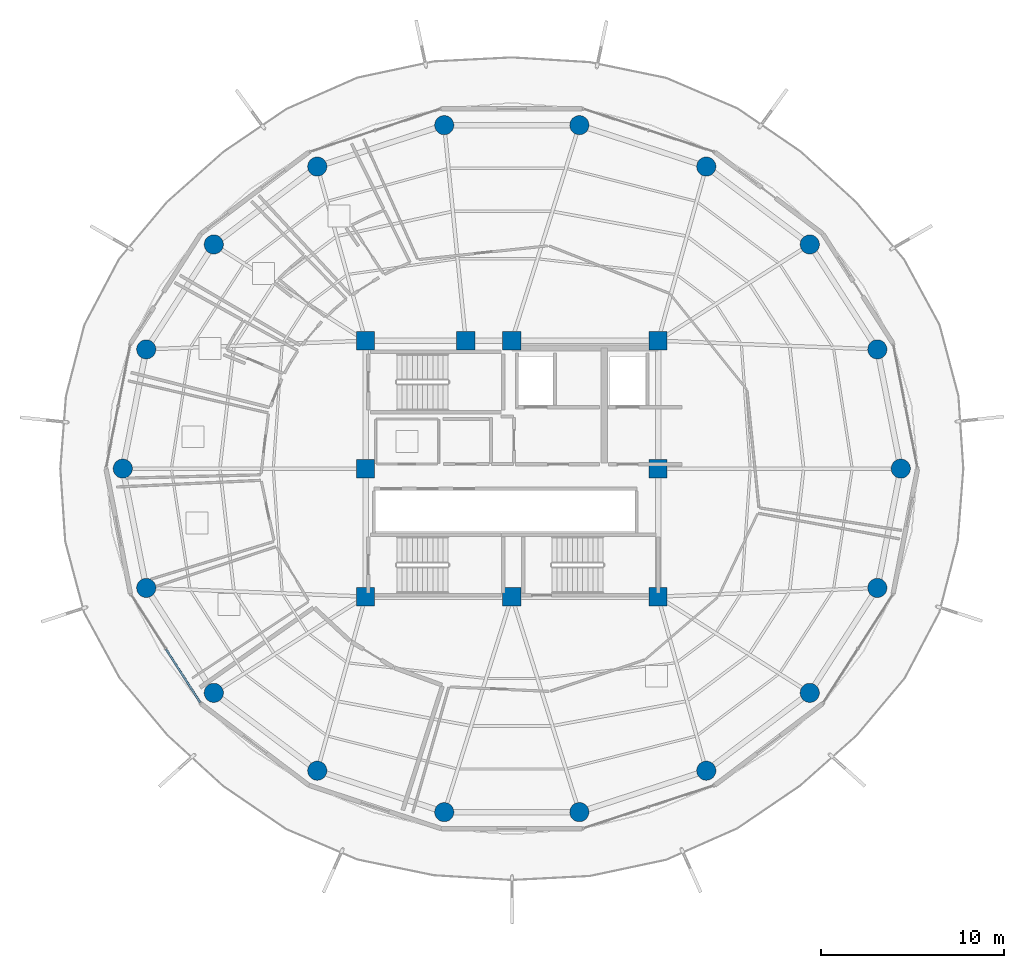
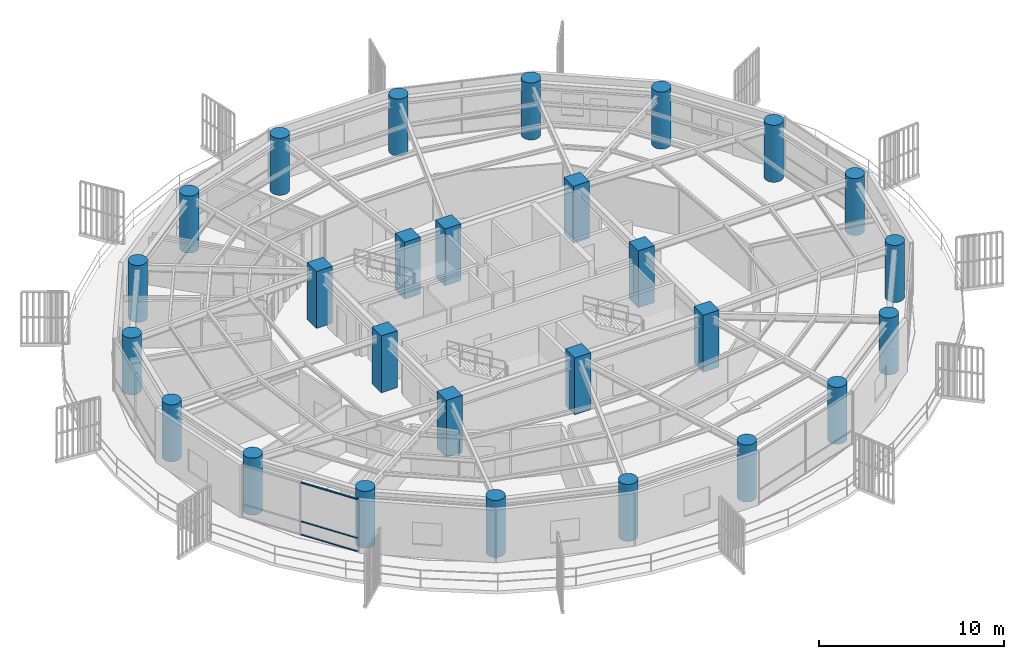
# One storey, part 1 of 31: 27 columns, 3 members, 1 element without a shape of its own.
"""IFC4 building model written with IfcOpenShell, lengths in metres."""

from ifc_helpers import new_model, si_unit, direction, frame, origin, origin_2d, place, context, subcontext, project, spatial, rectangle, hollow_rectangle, circle, extrude, material, layer, layer_set, material_profile, profile_set, type_object, element, aggregate, save


model = new_model("IFC4")

# Units and contexts
model_context = context("Model", 3, precision=1e-05, world=origin(), true_north=direction((0.0, 1.0)))
body_context = subcontext(model_context, "Body", "Model", "MODEL_VIEW")
ifc_project = project(units=[si_unit("LENGTHUNIT", "METRE"), si_unit("AREAUNIT", "SQUARE_METRE"), si_unit("VOLUMEUNIT", "CUBIC_METRE"), si_unit("PLANEANGLEUNIT", "RADIAN"), si_unit("MASSUNIT", "GRAM", prefix="KILO")], contexts=[model_context])

# Site, building, storey
site_placement = place(None, origin())
site = spatial("IfcSite", under=ifc_project, at=site_placement, CompositionType="ELEMENT")
building_placement = place(site_placement, origin())
building = spatial("IfcBuilding", under=site, at=building_placement, Name="Kelanora Arch Commons", CompositionType="ELEMENT")
storey_placement = place(building_placement, frame((0.0, 0.0, 226.949951171875)))
storey = spatial("IfcBuildingStorey", under=building, at=storey_placement, Name="L58", CompositionType="ELEMENT", Elevation=226.949951171875)

# Columns
ifc_material_1 = material(Name="Concrete C50/60", Category="concrete")
ifc_material_profile_1 = material_profile(ifc_material_1, circle(Radius=0.52490234375, at=origin_2d()), Name="RCC1050")
ifc_profile_set_1 = profile_set([ifc_material_profile_1], Name="Concrete C50/60")
column_type_1 = type_object("IfcColumnType", Name="COL-PERIM-Z4", PredefinedType="COLUMN", material=ifc_profile_set_1)
for number, where, z_axis, x_axis, name in (
    (1, (95.280029296875, 58.0, 0.0), (0.0, 0.0, 1.0), (1.0, 0.0, 0.0), "Perimeter Ring Column CP-00 L58"),
    (2, (93.99658203125, 64.525634765625, 0.0), (0.0, 0.0, 1.0), (1.0, 0.0, 0.0), "Perimeter Ring Column CP-02 L58"),
    (3, (90.301513671875, 70.264404296875, 0.0), (0.0, 0.0, 1.0), (1.0, 0.0, 0.0), "Perimeter Ring Column CP-04 L58"),
    (4, (84.639892578125, 74.523681640625, 0.0), (0.0, 0.0, 1.0), (1.0, 0.0, 0.0), "Perimeter Ring Column CP-06 L58"),
    (5, (77.6953125, 76.7900390625, 0.0), (0.0, 0.0, 1.0), (1.0, 0.0, 0.0), "Perimeter Ring Column CP-08 L58"),
    (6, (70.3046875, 76.7900390625, 0.0), (0.0, 0.0, 1.0), (1.0, 0.0, 0.0), "Perimeter Ring Column CP-10 L58"),
    (7, (63.360107421875, 74.523681640625, 0.0), (0.0, 0.0, 1.0), (1.0, 0.0, 0.0), "Perimeter Ring Column CP-12 L58"),
    (8, (57.698486328125, 70.264404296875, 0.0), (0.0, 0.0, 1.0), (1.0, 0.0, 0.0), "Perimeter Ring Column CP-14 L58"),
    (9, (54.00341796875, 64.525634765625, 0.0), (0.0, 0.0, 1.0), (1.0, 0.0, 0.0), "Perimeter Ring Column CP-16 L58"),
    (10, (52.719970703125, 58.0, 0.0), (0.0, 0.0, 1.0), (1.0, 0.0, 0.0), "Perimeter Ring Column CP-18 L58"),
    (11, (54.00341796875, 51.474365234375, 0.0), (0.0, 0.0, 1.0), (1.0, 0.0, 0.0), "Perimeter Ring Column CP-20 L58"),
    (12, (57.698486328125, 45.735595703125, 0.0), (0.0, 0.0, 1.0), (1.0, 0.0, 0.0), "Perimeter Ring Column CP-22 L58"),
    (13, (63.360107421875, 41.476318359375, 0.0), (0.0, 0.0, 1.0), (1.0, 0.0, 0.0), "Perimeter Ring Column CP-24 L58"),
    (14, (70.3046875, 39.2099609375, 0.0), (0.0, 0.0, 1.0), (1.0, 0.0, 0.0), "Perimeter Ring Column CP-26 L58"),
    (15, (77.6953125, 39.2099609375, 0.0), (0.0, 0.0, 1.0), (1.0, 0.0, 0.0), "Perimeter Ring Column CP-28 L58"),
    (16, (84.639892578125, 41.476318359375, 0.0), (0.0, 0.0, 1.0), (1.0, 0.0, 0.0), "Perimeter Ring Column CP-30 L58"),
    (17, (90.301513671875, 45.735595703125, 0.0), (0.0, 0.0, 1.0), (1.0, 0.0, 0.0), "Perimeter Ring Column CP-32 L58"),
    (18, (93.99658203125, 51.474365234375, 0.0), (0.0, 0.0, 1.0), (1.0, 0.0, 0.0), "Perimeter Ring Column CP-34 L58"),
):
    element("IfcColumn", number, at=place(storey_placement, frame(where, z_axis=z_axis, x_axis=x_axis)), inside=storey, type_object=column_type_1, Name=name, PredefinedType="COLUMN", context=body_context, shape_type="SweptSolid", body=[
        extrude(circle(Radius=0.52490234375, at=origin_2d()), origin(), (0.0, 0.0, 1.0), 3.75),
    ])
ifc_material_profile_2 = material_profile(ifc_material_1, rectangle(XDim=1.0, YDim=1.0, at=origin_2d()), Name="RC1000x1000")
ifc_profile_set_2 = profile_set([ifc_material_profile_2], Name="Concrete C50/60")
column_type_2 = type_object("IfcColumnType", Name="COL-PIL-HIGH", PredefinedType="PILASTER", material=ifc_profile_set_2)
for number, where, z_axis, x_axis, name in (
    (19, (66.0, 51.0, 0.0), (0.0, 0.0, 1.0), (1.0, 0.0, 0.0), "Core Pilaster Column CP1 L58"),
    (20, (74.0, 51.0, 0.0), (0.0, 0.0, 1.0), (1.0, 0.0, 0.0), "Core Pilaster Column CP2 L58"),
    (21, (82.0, 51.0, 0.0), (0.0, 0.0, 1.0), (1.0, 0.0, 0.0), "Core Pilaster Column CP3 L58"),
    (22, (82.0, 58.0, 0.0), (0.0, 0.0, 1.0), (1.0, 0.0, 0.0), "Core Pilaster Column CP4 L58"),
    (23, (82.0, 65.0, 0.0), (0.0, 0.0, 1.0), (1.0, 0.0, 0.0), "Core Pilaster Column CP5 L58"),
    (24, (74.0, 65.0, 0.0), (0.0, 0.0, 1.0), (1.0, 0.0, 0.0), "Core Pilaster Column CP6 L58"),
    (25, (71.47998046875, 65.0, 0.0), (0.0, 0.0, 1.0), (1.0, 0.0, 0.0), "Core Pilaster Column CP9 L58"),
    (26, (66.0, 65.0, 0.0), (0.0, 0.0, 1.0), (1.0, 0.0, 0.0), "Core Pilaster Column CP7 L58"),
    (27, (66.0, 58.0, 0.0), (0.0, 0.0, 1.0), (1.0, 0.0, 0.0), "Core Pilaster Column CP8 L58"),
):
    element("IfcColumn", number, at=place(storey_placement, frame(where, z_axis=z_axis, x_axis=x_axis)), inside=storey, type_object=column_type_2, Name=name, PredefinedType="PILASTER", context=body_context, shape_type="SweptSolid", body=[
        extrude(rectangle(XDim=1.0, YDim=1.0, at=origin_2d()), origin(), (0.0, 0.0, 1.0), 3.75),
    ])

# Curtain wall, members
ifc_material_2 = material(Name="Terracotta ceramic-fritted low-E glass and aluminium", Category="masonry")
ifc_layer = layer(ifc_material_2, 0.175048828125)
ifc_layer_set = layer_set([ifc_layer], Name="Terracotta ceramic-fritted low-E glass and aluminium")
curtain_wall_type = type_object("IfcCurtainWallType", Name="CW-SYS-02", PredefinedType="NOTDEFINED", material=ifc_layer_set)
curtain_wall_placement = place(storey_placement, origin())
curtain_wall = element("IfcCurtainWall", 28, at=curtain_wall_placement, inside=storey, type_object=curtain_wall_type, Name="Unitised Curtain Wall L58-B10", PredefinedType="NOTDEFINED")
ifc_material_3 = material(Name="Powder-coated aluminium terracotta", Category="masonry")
ifc_material_profile_3 = material_profile(ifc_material_3, hollow_rectangle(XDim=0.1201171875, YDim=0.06005859375, WallThickness=0.0048828125, InnerFilletRadius=0.0048828125, OuterFilletRadius=0.010009765625, at=origin_2d()), Name="CWT120x60")
ifc_profile_set_3 = profile_set([ifc_material_profile_3], Name="Powder-coated aluminium terracotta")
member_type = type_object("IfcMemberType", Name="CWT-STD", PredefinedType="USERDEFINED", material=ifc_profile_set_3)
member_1_placement = place(storey_placement, frame((55.08251953125, 48.126708984375, 0.030029296875), z_axis=(0.53954710894, -0.841955412854, 0.0), x_axis=(0.841955412854, 0.53954710894, 0.0)))
member_1 = element("IfcMember", 29, at=member_1_placement, type_object=member_type, Name="CW-02 transom 2.1", ObjectType="TRANSOM", PredefinedType="USERDEFINED", context=body_context, shape_type="SweptSolid", body=[
    extrude(hollow_rectangle(XDim=0.1201171875, YDim=0.06005859375, WallThickness=0.0048828125, InnerFilletRadius=0.0048828125, OuterFilletRadius=0.010009765625, at=origin_2d()), origin(), (0.0, 0.0, 1.0), 3.467529296875),
])
member_2_placement = place(storey_placement, frame((55.08251953125, 48.126708984375, 0.900146484375), z_axis=(0.53954710894, -0.841955412854, 0.0), x_axis=(0.841955412854, 0.53954710894, 0.0)))
member_2 = element("IfcMember", 30, at=member_2_placement, type_object=member_type, Name="CW-02 transom 2.2", ObjectType="TRANSOM", PredefinedType="USERDEFINED", context=body_context, shape_type="SweptSolid", body=[
    extrude(hollow_rectangle(XDim=0.1201171875, YDim=0.06005859375, WallThickness=0.0048828125, InnerFilletRadius=0.0048828125, OuterFilletRadius=0.010009765625, at=origin_2d()), origin(), (0.0, 0.0, 1.0), 3.467529296875),
])
member_3_placement = place(storey_placement, frame((55.08251953125, 48.126708984375, 3.445068359375), z_axis=(0.53954710894, -0.841955412854, 0.0), x_axis=(0.841955412854, 0.53954710894, 0.0)))
member_3 = element("IfcMember", 31, at=member_3_placement, type_object=member_type, Name="CW-02 transom 2.3", ObjectType="TRANSOM", PredefinedType="USERDEFINED", context=body_context, shape_type="SweptSolid", body=[
    extrude(hollow_rectangle(XDim=0.1201171875, YDim=0.06005859375, WallThickness=0.0048828125, InnerFilletRadius=0.0048828125, OuterFilletRadius=0.010009765625, at=origin_2d()), origin(), (0.0, 0.0, 1.0), 3.467529296875),
])
aggregate(curtain_wall, [member_1, member_2, member_3])

save(model, "model.ifc")
